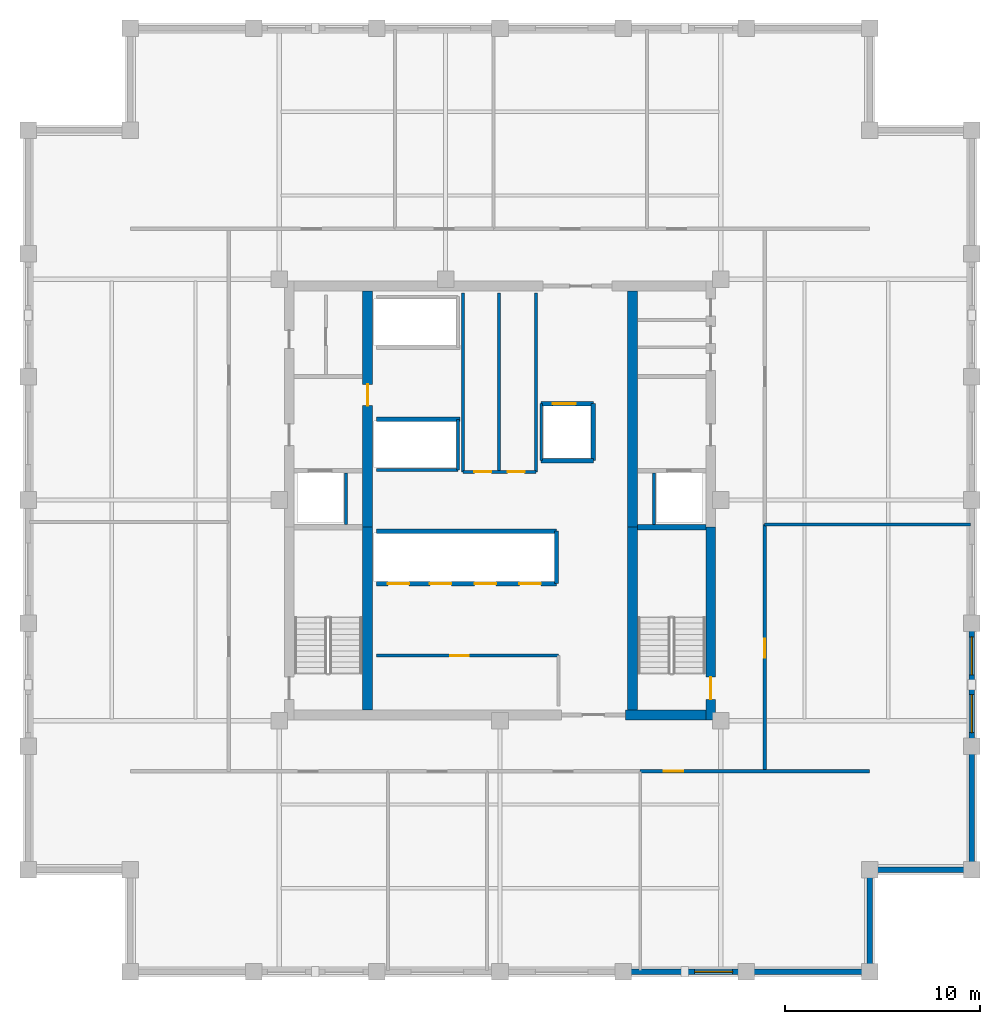
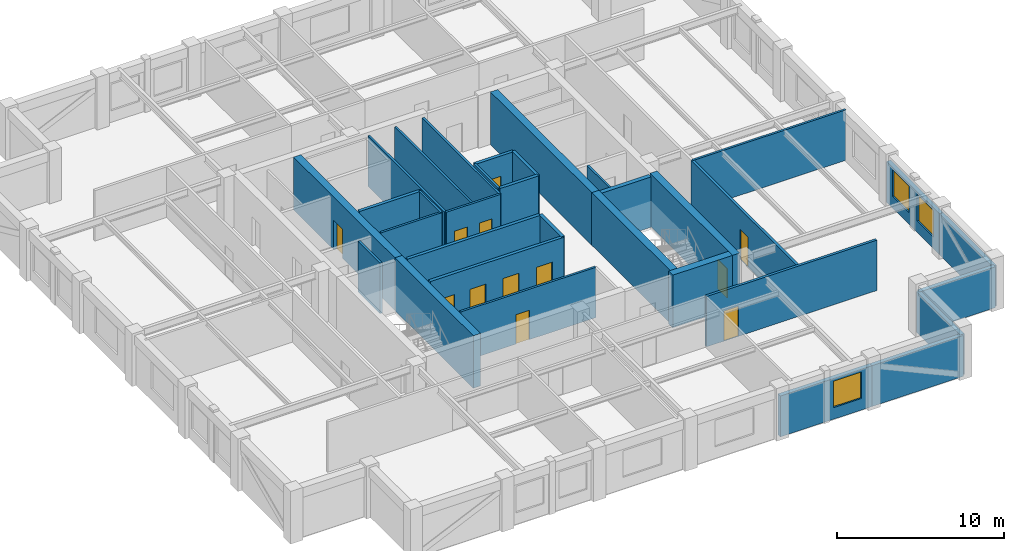
# One storey, part 3 of 6: 33 walls, 12 doors, 3 windows, 15 openings.
"""IFC4 building model written with IfcOpenShell, lengths in metres."""

from ifc_helpers import new_model, si_unit, direction, frame, frame_2d, origin, place, context, subcontext, project, spatial, rectangle, extrude, material, layer, layer_set, type_object, element, fill, save


model = new_model("IFC4")

# Units and contexts
model_context = context("Model", 3, precision=1e-05, world=origin(), true_north=direction((0.0, 1.0)))
body_context = subcontext(model_context, "Body", "Model", "MODEL_VIEW")
ifc_project = project(units=[si_unit("LENGTHUNIT", "METRE"), si_unit("AREAUNIT", "SQUARE_METRE"), si_unit("VOLUMEUNIT", "CUBIC_METRE"), si_unit("PLANEANGLEUNIT", "RADIAN"), si_unit("MASSUNIT", "GRAM", prefix="KILO")], contexts=[model_context])

# Site, building, storey
site_placement = place(None, origin())
site = spatial("IfcSite", under=ifc_project, at=site_placement, CompositionType="ELEMENT")
building_placement = place(site_placement, origin())
building = spatial("IfcBuilding", under=site, at=building_placement, Name="Nhamokura Convention Tower", CompositionType="ELEMENT")
storey_placement = place(building_placement, frame((0.0, 0.0, 202.300048828125)))
storey = spatial("IfcBuildingStorey", under=building, at=storey_placement, Name="L49", CompositionType="ELEMENT", Elevation=202.300048828125)

# Wall, opening, window
ifc_material_1 = material(Name="Bronze-pigmented precast concrete C45/55", Category="concrete")
ifc_layer_1 = layer(ifc_material_1, 0.280029296875)
ifc_layer_set_1 = layer_set([ifc_layer_1], Name="BronzePrecastSpandrel_280")
wall_type_1 = type_object("IfcWallType", Name="BronzePrecastSpandrel_280", PredefinedType="USERDEFINED", material=ifc_layer_set_1)
wall_1_placement = place(storey_placement, frame((44.666748046875, 7.75, 0.0), z_axis=(0.0, 0.0, 1.0), x_axis=(-1.0, 0.0, 0.0)))
wall_1 = element("IfcWall", 1, at=wall_1_placement, inside=storey, type_object=wall_type_1, Name="L49 Masonry-Frame Wall SOUTH 4", ObjectType="SPANDREL_WALL", PredefinedType="USERDEFINED", context=body_context, shape_type="SweptSolid", body=[
    extrude(rectangle(XDim=6.33349609375, YDim=0.280029296875, at=frame_2d((3.166748046875, 0.0))), origin(), (0.0, 0.0, 1.0), 2.98486328125),
])
opening_1_placement = place(wall_1_placement, frame((0.708251953125, 0.0, 0.85009765625)))
opening_1 = element("IfcOpeningElement", 2, at=opening_1_placement, cuts=wall_1, Name="Opening W-08", PredefinedType="OPENING", context=body_context, shape_type="SweptSolid", body=[
    extrude(rectangle(XDim=1.949951171875, YDim=1.93505859375, at=frame_2d((0.97509765625, 0.967529296875))), frame((0.0, 0.14990234375, 0.0), z_axis=(0.0, -1.0, 0.0), x_axis=(1.0, 0.0, 0.0)), (0.0, 0.0, 1.0), 0.300048828125),
])
ifc_material_2 = material(Name="Solar-control bronze low-E double glass", Category="glass")
window_type = type_object("IfcWindowType", Name="OfficeModuleWindow_Z3_1950", PartitioningType="SINGLE_PANEL", PredefinedType="WINDOW", material=ifc_material_2)
window_1_placement = place(opening_1_placement, origin())
window_1 = element("IfcWindow", 3, at=window_1_placement, inside=storey, type_object=window_type, Name="L49 Facade Window SOUTH 4-1", OverallHeight=1.93505859375, OverallWidth=1.949951171875, PartitioningType="SINGLE_PANEL", PredefinedType="WINDOW", context=body_context, shape_type="SweptSolid", body=[
    extrude(rectangle(XDim=1.949951171875, YDim=1.93505859375, at=frame_2d((0.97509765625, 0.967529296875))), frame((0.0, 0.030029296875, 0.0), z_axis=(0.0, -1.0, 0.0), x_axis=(1.0, 0.0, 0.0)), (0.0, 0.0, 1.0), 0.06005859375),
])
fill(opening_1, window_1)

# Walls
for number, where, z_axis, x_axis, name in (
    (4, (51.0, 7.75, 0.0), (0.0, 0.0, 1.0), (-1.0, 0.0, 0.0), "L49 Braced-Bay Precast Wall SOUTH 5"),
    (5, (56.25, 19.333251953125, 0.0), (0.0, 0.0, 1.0), (0.0, -1.0, 0.0), "L49 Braced-Bay Precast Wall EAST 0"),
):
    element("IfcWall", number, at=place(storey_placement, frame(where, z_axis=z_axis, x_axis=x_axis)), inside=storey, type_object=wall_type_1, Name=name, ObjectType="SPANDREL_WALL", PredefinedType="USERDEFINED", context=body_context, shape_type="SweptSolid", body=[
        extrude(rectangle(XDim=6.333251953125, YDim=0.280029296875, at=frame_2d((3.16650390625, 0.0))), origin(), (0.0, 0.0, 1.0), 2.98486328125),
    ])

# Wall, openings, windows
wall_2_placement = place(storey_placement, frame((56.25, 25.666748046875, 0.0), z_axis=(0.0, 0.0, 1.0), x_axis=(0.0, -1.0, 0.0)))
wall_2 = element("IfcWall", 6, at=wall_2_placement, inside=storey, type_object=wall_type_1, Name="L49 Masonry-Frame Wall EAST 1", ObjectType="SPANDREL_WALL", PredefinedType="USERDEFINED", context=body_context, shape_type="SweptSolid", body=[
    extrude(rectangle(XDim=6.33349609375, YDim=0.280029296875, at=frame_2d((3.166748046875, 0.0))), origin(), (0.0, 0.0, 1.0), 2.98486328125),
])
opening_2_placement = place(wall_2_placement, frame((0.708251953125, 0.0, 0.85009765625)))
opening_2 = element("IfcOpeningElement", 7, at=opening_2_placement, cuts=wall_2, Name="Opening W-08", PredefinedType="OPENING", context=body_context, shape_type="SweptSolid", body=[
    extrude(rectangle(XDim=1.949951171875, YDim=1.93505859375, at=frame_2d((0.97509765625, 0.967529296875))), frame((0.0, 0.14990234375, 0.0), z_axis=(0.0, -1.0, 0.0), x_axis=(1.0, 0.0, 0.0)), (0.0, 0.0, 1.0), 0.300048828125),
])
opening_3_placement = place(wall_2_placement, frame((3.675048828125, 0.0, 0.85009765625)))
opening_3 = element("IfcOpeningElement", 8, at=opening_3_placement, cuts=wall_2, Name="Opening W-08", PredefinedType="OPENING", context=body_context, shape_type="SweptSolid", body=[
    extrude(rectangle(XDim=1.949951171875, YDim=1.93505859375, at=frame_2d((0.97509765625, 0.967529296875))), frame((0.0, 0.14990234375, 0.0), z_axis=(0.0, -1.0, 0.0), x_axis=(1.0, 0.0, 0.0)), (0.0, 0.0, 1.0), 0.300048828125),
])
window_2_placement = place(opening_2_placement, origin())
window_2 = element("IfcWindow", 9, at=window_2_placement, inside=storey, type_object=window_type, Name="L49 Facade Window EAST 1-1", OverallHeight=1.93505859375, OverallWidth=1.949951171875, PartitioningType="SINGLE_PANEL", PredefinedType="WINDOW", context=body_context, shape_type="SweptSolid", body=[
    extrude(rectangle(XDim=1.949951171875, YDim=1.93505859375, at=frame_2d((0.97509765625, 0.967529296875))), frame((0.0, 0.030029296875, 0.0), z_axis=(0.0, -1.0, 0.0), x_axis=(1.0, 0.0, 0.0)), (0.0, 0.0, 1.0), 0.06005859375),
])
fill(opening_2, window_2)
window_3_placement = place(opening_3_placement, origin())
window_3 = element("IfcWindow", 10, at=window_3_placement, inside=storey, type_object=window_type, Name="L49 Facade Window EAST 1-2", OverallHeight=1.93505859375, OverallWidth=1.949951171875, PartitioningType="SINGLE_PANEL", PredefinedType="WINDOW", context=body_context, shape_type="SweptSolid", body=[
    extrude(rectangle(XDim=1.949951171875, YDim=1.93505859375, at=frame_2d((0.97509765625, 0.967529296875))), frame((0.0, 0.030029296875, 0.0), z_axis=(0.0, -1.0, 0.0), x_axis=(1.0, 0.0, 0.0)), (0.0, 0.0, 1.0), 0.06005859375),
])
fill(opening_3, window_3)

# Walls
for number, where, z_axis, x_axis, name in (
    (11, (51.0, 13.0, 0.0), (0.0, 0.0, 1.0), (0.0, -1.0, 0.0), "L49 Notched Corner Wall SE1"),
    (12, (56.25, 13.0, 0.0), (0.0, 0.0, 1.0), (-1.0, 0.0, 0.0), "L49 Notched Corner Wall SE2"),
):
    element("IfcWall", number, at=place(storey_placement, frame(where, z_axis=z_axis, x_axis=x_axis)), inside=storey, type_object=wall_type_1, Name=name, ObjectType="SPANDREL_WALL", PredefinedType="USERDEFINED", context=body_context, shape_type="SweptSolid", body=[
        extrude(rectangle(XDim=5.25, YDim=0.280029296875, at=frame_2d((2.625, 0.0))), origin(), (0.0, 0.0, 1.0), 2.98486328125),
    ])

# Wall, opening, door
ifc_material_3 = material(Name="Concrete C60/75", Category="concrete")
ifc_layer_2 = layer(ifc_material_3, 0.5)
ifc_layer_set_2 = layer_set([ifc_layer_2], Name="CoreShearWall_500")
wall_type_2 = type_object("IfcWallType", Name="CoreShearWall_500", PredefinedType="SHEAR", material=ifc_layer_set_2)
wall_3_placement = place(storey_placement, frame((42.840087890625, 20.699951171875, 0.0), z_axis=(0.0, 0.0, 1.0), x_axis=(0.0, 1.0, 0.0)))
wall_3 = element("IfcWall", 13, at=wall_3_placement, inside=storey, type_object=wall_type_2, Name="L49 Core Shear Wall CW-ES", PredefinedType="SHEAR", context=body_context, shape_type="SweptSolid", body=[
    extrude(rectangle(XDim=9.900146484375, YDim=0.5, at=frame_2d((4.9501953125, 0.0))), origin(), (0.0, 0.0, 1.0), 3.849853515625),
])
opening_4_placement = place(wall_3_placement, frame((1.050048828125, 0.0, 0.0)))
opening_4 = element("IfcOpeningElement", 14, at=opening_4_placement, cuts=wall_3, Name="Opening D-04", PredefinedType="OPENING", context=body_context, shape_type="SweptSolid", body=[
    extrude(rectangle(XDim=1.14990234375, YDim=2.14990234375, at=frame_2d((0.574951171875, 1.074951171875))), frame((0.0, 0.260009765625, 0.0), z_axis=(0.0, -1.0, 0.0), x_axis=(1.0, 0.0, 0.0)), (0.0, 0.0, 1.0), 0.52001953125),
])
ifc_material_4 = material(Name="Fire-rated steel door", Category="steel")
door_type_1 = type_object("IfcDoorType", Name="StairSmokeDoor_1150", OperationType="NOTDEFINED", PredefinedType="DOOR", material=ifc_material_4)
door_1_placement = place(opening_4_placement, origin())
door_1 = element("IfcDoor", 15, at=door_1_placement, inside=storey, type_object=door_type_1, Name="L49 Core Door INT-L49-D-ST02", OperationType="SINGLE_SWING_RIGHT", OverallHeight=2.14990234375, OverallWidth=1.14990234375, PredefinedType="DOOR", context=body_context, shape_type="SweptSolid", body=[
    extrude(rectangle(XDim=1.14990234375, YDim=2.14990234375, at=frame_2d((0.574951171875, 1.074951171875))), frame((0.0, 0.02490234375, 0.0), z_axis=(0.0, -1.0, 0.0), x_axis=(1.0, 0.0, 0.0)), (0.0, 0.0, 1.0), 0.050048828125),
])
fill(opening_4, door_1)

# Walls
wall_4_placement = place(storey_placement, frame((38.449951171875, 20.949951171875, 0.0), z_axis=(0.0, 0.0, 1.0), x_axis=(1.0, 0.0, 0.0)))
element("IfcWall", 16, at=wall_4_placement, inside=storey, type_object=wall_type_2, Name="L49 Core Shear Wall CW-S2", PredefinedType="SHEAR", context=body_context, shape_type="SweptSolid", body=[
    extrude(rectangle(XDim=4.14013671875, YDim=0.5, at=frame_2d((2.070068359375, 0.0))), origin(), (0.0, 0.0, 1.0), 3.849853515625),
])
wall_5_placement = place(storey_placement, frame((25.18994140625, 21.199951171875, 0.0), z_axis=(0.0, 0.0, 1.0), x_axis=(0.0, 1.0, 0.0)))
element("IfcWall", 17, at=wall_5_placement, inside=storey, type_object=wall_type_2, Name="L49 Core Shear Wall CW-IWS", PredefinedType="SHEAR", context=body_context, shape_type="SweptSolid", body=[
    extrude(rectangle(XDim=9.400146484375, YDim=0.5, at=frame_2d((4.7001953125, 0.0))), origin(), (0.0, 0.0, 1.0), 3.849853515625),
])

# Wall, opening, door
wall_6_placement = place(storey_placement, frame((25.18994140625, 30.60009765625, 0.0), z_axis=(0.0, 0.0, 1.0), x_axis=(0.0, 1.0, 0.0)))
wall_6 = element("IfcWall", 18, at=wall_6_placement, inside=storey, type_object=wall_type_2, Name="L49 Core Shear Wall CW-IWN", PredefinedType="SHEAR", context=body_context, shape_type="SweptSolid", body=[
    extrude(rectangle(XDim=12.14990234375, YDim=0.5, at=frame_2d((6.074951171875, 0.0))), origin(), (0.0, 0.0, 1.0), 3.849853515625),
])
opening_5_placement = place(wall_6_placement, frame((6.25, 0.0, 0.0)))
opening_5 = element("IfcOpeningElement", 19, at=opening_5_placement, cuts=wall_6, Name="Opening D-05", PredefinedType="OPENING", context=body_context, shape_type="SweptSolid", body=[
    extrude(rectangle(XDim=1.10009765625, YDim=2.14990234375, at=frame_2d((0.550048828125, 1.074951171875))), frame((0.0, 0.260009765625, 0.0), z_axis=(0.0, -1.0, 0.0), x_axis=(1.0, 0.0, 0.0)), (0.0, 0.0, 1.0), 0.52001953125),
])
ifc_material_5 = material(Name="Fire-rated steel door", Category="steel")
door_type_2 = type_object("IfcDoorType", Name="FireLobbyDoor_1100", OperationType="NOTDEFINED", PredefinedType="DOOR", material=ifc_material_5)
door_2_placement = place(opening_5_placement, origin())
door_2 = element("IfcDoor", 20, at=door_2_placement, inside=storey, type_object=door_type_2, Name="L49 Core Door INT-L49-D-B3LOB", OperationType="SINGLE_SWING_LEFT", OverallHeight=2.14990234375, OverallWidth=1.10009765625, PredefinedType="DOOR", context=body_context, shape_type="SweptSolid", body=[
    extrude(rectangle(XDim=1.10009765625, YDim=2.14990234375, at=frame_2d((0.550048828125, 1.074951171875))), frame((0.0, 0.02490234375, 0.0), z_axis=(0.0, -1.0, 0.0), x_axis=(1.0, 0.0, 0.0)), (0.0, 0.0, 1.0), 0.050048828125),
])
fill(opening_5, door_2)

# Walls
wall_7_placement = place(storey_placement, frame((38.81005859375, 21.199951171875, 0.0), z_axis=(0.0, 0.0, 1.0), x_axis=(0.0, 1.0, 0.0)))
element("IfcWall", 21, at=wall_7_placement, inside=storey, type_object=wall_type_2, Name="L49 Core Shear Wall CW-IES", PredefinedType="SHEAR", context=body_context, shape_type="SweptSolid", body=[
    extrude(rectangle(XDim=9.400146484375, YDim=0.5, at=frame_2d((4.7001953125, 0.0))), origin(), (0.0, 0.0, 1.0), 3.849853515625),
])
wall_8_placement = place(storey_placement, frame((38.81005859375, 30.60009765625, 0.0), z_axis=(0.0, 0.0, 1.0), x_axis=(0.0, 1.0, 0.0)))
element("IfcWall", 22, at=wall_8_placement, inside=storey, type_object=wall_type_2, Name="L49 Core Shear Wall CW-IEN", PredefinedType="SHEAR", context=body_context, shape_type="SweptSolid", body=[
    extrude(rectangle(XDim=12.14990234375, YDim=0.5, at=frame_2d((6.074951171875, 0.0))), origin(), (0.0, 0.0, 1.0), 3.849853515625),
])

# Wall, opening, door
ifc_material_6 = material(Name="Fire-rated gypsum and masonry partition", Category="masonry")
ifc_layer_3 = layer(ifc_material_6, 0.179931640625)
ifc_layer_set_3 = layer_set([ifc_layer_3], Name="CorridorRatedWall_180")
wall_type_3 = type_object("IfcWallType", Name="CorridorRatedWall_180", PredefinedType="STANDARD", material=ifc_layer_set_3)
wall_9_placement = place(storey_placement, frame((39.208251953125, 18.050048828125, 0.0), z_axis=(0.0, 0.0, 1.0), x_axis=(1.0, 0.0, 0.0)))
wall_9 = element("IfcWall", 23, at=wall_9_placement, inside=storey, type_object=wall_type_3, Name="L49 Wall INT-L49-CW-S03", PredefinedType="STANDARD", context=body_context, shape_type="SweptSolid", body=[
    extrude(rectangle(XDim=11.791748046875, YDim=0.179931640625, at=frame_2d((5.89599609375, 0.0))), origin(), (0.0, 0.0, 1.0), 3.68505859375),
])
opening_6_placement = place(wall_9_placement, frame((1.220703125, 0.0, 0.0)))
opening_6 = element("IfcOpeningElement", 24, at=opening_6_placement, cuts=wall_9, Name="Opening D-08", PredefinedType="OPENING", context=body_context, shape_type="SweptSolid", body=[
    extrude(rectangle(XDim=0.97998046875, YDim=2.199951171875, at=frame_2d((0.489990234375, 1.10009765625))), frame((0.0, 0.099853515625, 0.0), z_axis=(0.0, -1.0, 0.0), x_axis=(1.0, 0.0, 0.0)), (0.0, 0.0, 1.0), 0.199951171875),
])
ifc_material_7 = material(Name="Solid oak hardwood", Category="wood")
door_type_3 = type_object("IfcDoorType", Name="OfficeEntryDoor_980", OperationType="NOTDEFINED", PredefinedType="DOOR", material=ifc_material_7)
door_3_placement = place(opening_6_placement, origin())
door_3 = element("IfcDoor", 25, at=door_3_placement, inside=storey, type_object=door_type_3, Name="L49 Private Office S04 Door", OperationType="SINGLE_SWING_RIGHT", OverallHeight=2.199951171875, OverallWidth=0.97998046875, PredefinedType="DOOR", context=body_context, shape_type="SweptSolid", body=[
    extrude(rectangle(XDim=0.97998046875, YDim=2.199951171875, at=frame_2d((0.489990234375, 1.10009765625))), frame((0.0, 0.02490234375, 0.0), z_axis=(0.0, -1.0, 0.0), x_axis=(1.0, 0.0, 0.0)), (0.0, 0.0, 1.0), 0.050048828125),
])
fill(opening_6, door_3)

wall_10_placement = place(storey_placement, frame((45.60009765625, 18.050048828125, 0.0), z_axis=(0.0, 0.0, 1.0), x_axis=(0.0, 1.0, 0.0)))
wall_10 = element("IfcWall", 26, at=wall_10_placement, inside=storey, type_object=wall_type_3, Name="L49 Wall INT-L49-CW-E00", PredefinedType="STANDARD", context=body_context, shape_type="SweptSolid", body=[
    extrude(rectangle(XDim=12.699951171875, YDim=0.179931640625, at=frame_2d((6.35009765625, 0.0))), origin(), (0.0, 0.0, 1.0), 3.68505859375),
])
opening_7_placement = place(wall_10_placement, frame((5.85009765625, 0.0, 0.0)))
opening_7 = element("IfcOpeningElement", 27, at=opening_7_placement, cuts=wall_10, Name="Opening D-08", PredefinedType="OPENING", context=body_context, shape_type="SweptSolid", body=[
    extrude(rectangle(XDim=0.97998046875, YDim=2.199951171875, at=frame_2d((0.489990234375, 1.10009765625))), frame((0.0, 0.099853515625, 0.0), z_axis=(0.0, -1.0, 0.0), x_axis=(1.0, 0.0, 0.0)), (0.0, 0.0, 1.0), 0.199951171875),
])
door_4_placement = place(opening_7_placement, origin())
door_4 = element("IfcDoor", 28, at=door_4_placement, inside=storey, type_object=door_type_3, Name="L49 Open Plan Office E01 Door", OperationType="SINGLE_SWING_LEFT", OverallHeight=2.199951171875, OverallWidth=0.97998046875, PredefinedType="DOOR", context=body_context, shape_type="SweptSolid", body=[
    extrude(rectangle(XDim=0.97998046875, YDim=2.199951171875, at=frame_2d((0.489990234375, 1.10009765625))), frame((0.0, 0.02490234375, 0.0), z_axis=(0.0, -1.0, 0.0), x_axis=(1.0, 0.0, 0.0)), (0.0, 0.0, 1.0), 0.050048828125),
])
fill(opening_7, door_4)

# Wall, openings, doors
ifc_material_8 = material(Name="Autoclaved concrete blockwork", Category="masonry")
ifc_layer_4 = layer(ifc_material_8, 0.219970703125)
ifc_layer_set_4 = layer_set([ifc_layer_4], Name="FireLobbyWall_220")
wall_type_4 = type_object("IfcWallType", Name="FireLobbyWall_220", PredefinedType="STANDARD", material=ifc_layer_set_4)
wall_11_placement = place(storey_placement, frame((25.64990234375, 27.699951171875, 0.0), z_axis=(0.0, 0.0, 1.0), x_axis=(1.0, 0.0, 0.0)))
wall_11 = element("IfcWall", 29, at=wall_11_placement, inside=storey, type_object=wall_type_4, Name="L49 Wall INT-L49-B2S", PredefinedType="STANDARD", context=body_context, shape_type="SweptSolid", body=[
    extrude(rectangle(XDim=9.25, YDim=0.219970703125, at=frame_2d((4.625, 0.0))), origin(), (0.0, 0.0, 1.0), 3.68505859375),
])
opening_8_placement = place(wall_11_placement, frame((0.580078125, 0.0, 0.0)))
opening_8 = element("IfcOpeningElement", 30, at=opening_8_placement, cuts=wall_11, Name="Opening LD-01", PredefinedType="OPENING", context=body_context, shape_type="SweptSolid", body=[
    extrude(rectangle(XDim=1.10009765625, YDim=2.14990234375, at=frame_2d((0.550048828125, 1.074951171875))), frame((0.0, 0.119873046875, 0.0), z_axis=(0.0, -1.0, 0.0), x_axis=(1.0, 0.0, 0.0)), (0.0, 0.0, 1.0), 0.239990234375),
])
opening_9_placement = place(wall_11_placement, frame((2.75, 0.0, 0.0)))
opening_9 = element("IfcOpeningElement", 31, at=opening_9_placement, cuts=wall_11, Name="Opening LD-01", PredefinedType="OPENING", context=body_context, shape_type="SweptSolid", body=[
    extrude(rectangle(XDim=1.10009765625, YDim=2.14990234375, at=frame_2d((0.550048828125, 1.074951171875))), frame((0.0, 0.119873046875, 0.0), z_axis=(0.0, -1.0, 0.0), x_axis=(1.0, 0.0, 0.0)), (0.0, 0.0, 1.0), 0.239990234375),
])
opening_10_placement = place(wall_11_placement, frame((5.050048828125, 0.0, 0.0)))
opening_10 = element("IfcOpeningElement", 32, at=opening_10_placement, cuts=wall_11, Name="Opening LD-01", PredefinedType="OPENING", context=body_context, shape_type="SweptSolid", body=[
    extrude(rectangle(XDim=1.10009765625, YDim=2.14990234375, at=frame_2d((0.550048828125, 1.074951171875))), frame((0.0, 0.119873046875, 0.0), z_axis=(0.0, -1.0, 0.0), x_axis=(1.0, 0.0, 0.0)), (0.0, 0.0, 1.0), 0.239990234375),
])
opening_11_placement = place(wall_11_placement, frame((7.35009765625, 0.0, 0.0)))
opening_11 = element("IfcOpeningElement", 33, at=opening_11_placement, cuts=wall_11, Name="Opening LD-01", PredefinedType="OPENING", context=body_context, shape_type="SweptSolid", body=[
    extrude(rectangle(XDim=1.10009765625, YDim=2.14990234375, at=frame_2d((0.550048828125, 1.074951171875))), frame((0.0, 0.119873046875, 0.0), z_axis=(0.0, -1.0, 0.0), x_axis=(1.0, 0.0, 0.0)), (0.0, 0.0, 1.0), 0.239990234375),
])
ifc_material_9 = material(Name="Anodised bronze stainless steel", Category="steel")
door_type_4 = type_object("IfcDoorType", Name="LiftLandingDoor_Passenger", OperationType="DOUBLE_DOOR_SLIDING", PredefinedType="DOOR", material=ifc_material_9)
door_5_placement = place(opening_8_placement, origin())
door_5 = element("IfcDoor", 34, at=door_5_placement, inside=storey, type_object=door_type_4, Name="L49 Lift LP-05 Landing Door", OperationType="DOUBLE_DOOR_SLIDING", OverallHeight=2.14990234375, OverallWidth=1.10009765625, PredefinedType="DOOR", context=body_context, shape_type="SweptSolid", body=[
    extrude(rectangle(XDim=1.10009765625, YDim=2.14990234375, at=frame_2d((0.550048828125, 1.074951171875))), frame((0.0, 0.02490234375, 0.0), z_axis=(0.0, -1.0, 0.0), x_axis=(1.0, 0.0, 0.0)), (0.0, 0.0, 1.0), 0.050048828125),
])
fill(opening_8, door_5)
door_6_placement = place(opening_9_placement, origin())
door_6 = element("IfcDoor", 35, at=door_6_placement, inside=storey, type_object=door_type_4, Name="L49 Lift LP-06 Landing Door", OperationType="DOUBLE_DOOR_SLIDING", OverallHeight=2.14990234375, OverallWidth=1.10009765625, PredefinedType="DOOR", context=body_context, shape_type="SweptSolid", body=[
    extrude(rectangle(XDim=1.10009765625, YDim=2.14990234375, at=frame_2d((0.550048828125, 1.074951171875))), frame((0.0, 0.02490234375, 0.0), z_axis=(0.0, -1.0, 0.0), x_axis=(1.0, 0.0, 0.0)), (0.0, 0.0, 1.0), 0.050048828125),
])
fill(opening_9, door_6)
door_7_placement = place(opening_10_placement, origin())
door_7 = element("IfcDoor", 36, at=door_7_placement, inside=storey, type_object=door_type_4, Name="L49 Lift LP-07 Landing Door", OperationType="DOUBLE_DOOR_SLIDING", OverallHeight=2.14990234375, OverallWidth=1.10009765625, PredefinedType="DOOR", context=body_context, shape_type="SweptSolid", body=[
    extrude(rectangle(XDim=1.10009765625, YDim=2.14990234375, at=frame_2d((0.550048828125, 1.074951171875))), frame((0.0, 0.02490234375, 0.0), z_axis=(0.0, -1.0, 0.0), x_axis=(1.0, 0.0, 0.0)), (0.0, 0.0, 1.0), 0.050048828125),
])
fill(opening_10, door_7)
door_8_placement = place(opening_11_placement, origin())
door_8 = element("IfcDoor", 37, at=door_8_placement, inside=storey, type_object=door_type_4, Name="L49 Lift LP-08 Landing Door", OperationType="DOUBLE_DOOR_SLIDING", OverallHeight=2.14990234375, OverallWidth=1.10009765625, PredefinedType="DOOR", context=body_context, shape_type="SweptSolid", body=[
    extrude(rectangle(XDim=1.10009765625, YDim=2.14990234375, at=frame_2d((0.550048828125, 1.074951171875))), frame((0.0, 0.02490234375, 0.0), z_axis=(0.0, -1.0, 0.0), x_axis=(1.0, 0.0, 0.0)), (0.0, 0.0, 1.0), 0.050048828125),
])
fill(opening_11, door_8)

# Walls
wall_12_placement = place(storey_placement, frame((25.64990234375, 30.39990234375, 0.0), z_axis=(0.0, 0.0, 1.0), x_axis=(1.0, 0.0, 0.0)))
element("IfcWall", 38, at=wall_12_placement, inside=storey, type_object=wall_type_4, Name="L49 Wall INT-L49-B2N", PredefinedType="STANDARD", context=body_context, shape_type="SweptSolid", body=[
    extrude(rectangle(XDim=9.25, YDim=0.219970703125, at=frame_2d((4.625, 0.0))), origin(), (0.0, 0.0, 1.0), 3.68505859375),
])
wall_13_placement = place(storey_placement, frame((34.89990234375, 27.699951171875, 0.0), z_axis=(0.0, 0.0, 1.0), x_axis=(0.0, 1.0, 0.0)))
element("IfcWall", 39, at=wall_13_placement, inside=storey, type_object=wall_type_4, Name="L49 Wall INT-L49-B2E", PredefinedType="STANDARD", context=body_context, shape_type="SweptSolid", body=[
    extrude(rectangle(XDim=2.699951171875, YDim=0.219970703125, at=frame_2d((1.35009765625, 0.0))), origin(), (0.0, 0.0, 1.0), 3.68505859375),
])
wall_14_placement = place(storey_placement, frame((25.64990234375, 36.14990234375, 0.0), z_axis=(0.0, 0.0, 1.0), x_axis=(1.0, 0.0, 0.0)))
element("IfcWall", 40, at=wall_14_placement, inside=storey, type_object=wall_type_4, Name="L49 Wall INT-L49-B3S", PredefinedType="STANDARD", context=body_context, shape_type="SweptSolid", body=[
    extrude(rectangle(XDim=4.300048828125, YDim=0.219970703125, at=frame_2d((2.14990234375, 0.0))), origin(), (0.0, 0.0, 1.0), 3.68505859375),
])

# Wall, opening, door
wall_15_placement = place(storey_placement, frame((34.1201171875, 36.949951171875, 0.0), z_axis=(0.0, 0.0, 1.0), x_axis=(1.0, 0.0, 0.0)))
wall_15 = element("IfcWall", 41, at=wall_15_placement, inside=storey, type_object=wall_type_4, Name="L49 Wall INT-L49-LSN", PredefinedType="STANDARD", context=body_context, shape_type="SweptSolid", body=[
    extrude(rectangle(XDim=2.679931640625, YDim=0.219970703125, at=frame_2d((1.33984375, 0.0))), origin(), (0.0, 0.0, 1.0), 3.68505859375),
])
opening_12_placement = place(wall_15_placement, frame((0.580078125, 0.0, 0.0)))
opening_12 = element("IfcOpeningElement", 42, at=opening_12_placement, cuts=wall_15, Name="Opening LD-02", PredefinedType="OPENING", context=body_context, shape_type="SweptSolid", body=[
    extrude(rectangle(XDim=1.199951171875, YDim=2.199951171875, at=frame_2d((0.60009765625, 1.10009765625))), frame((0.0, 0.119873046875, 0.0), z_axis=(0.0, -1.0, 0.0), x_axis=(1.0, 0.0, 0.0)), (0.0, 0.0, 1.0), 0.239990234375),
])
ifc_material_10 = material(Name="Anodised bronze stainless steel", Category="steel")
door_type_5 = type_object("IfcDoorType", Name="LiftLandingDoor_FireService", OperationType="DOUBLE_DOOR_SLIDING", PredefinedType="DOOR", material=ifc_material_10)
door_9_placement = place(opening_12_placement, origin())
door_9 = element("IfcDoor", 43, at=door_9_placement, inside=storey, type_object=door_type_5, Name="L49 Service Lift LS-01 Door", OperationType="DOUBLE_DOOR_SLIDING", OverallHeight=2.199951171875, OverallWidth=1.199951171875, PredefinedType="DOOR", context=body_context, shape_type="SweptSolid", body=[
    extrude(rectangle(XDim=1.199951171875, YDim=2.199951171875, at=frame_2d((0.60009765625, 1.10009765625))), frame((0.0, 0.02490234375, 0.0), z_axis=(0.0, -1.0, 0.0), x_axis=(1.0, 0.0, 0.0)), (0.0, 0.0, 1.0), 0.050048828125),
])
fill(opening_12, door_9)

# Walls
wall_16_placement = place(storey_placement, frame((36.800048828125, 34.02001953125, 0.0), z_axis=(0.0, 0.0, 1.0), x_axis=(0.0, 1.0, 0.0)))
element("IfcWall", 44, at=wall_16_placement, inside=storey, type_object=wall_type_4, Name="L49 Wall INT-L49-LSE", PredefinedType="STANDARD", context=body_context, shape_type="SweptSolid", body=[
    extrude(rectangle(XDim=2.929931640625, YDim=0.219970703125, at=frame_2d((1.46484375, 0.0))), origin(), (0.0, 0.0, 1.0), 3.68505859375),
])
wall_17_placement = place(storey_placement, frame((34.1201171875, 34.02001953125, 0.0), z_axis=(0.0, 0.0, 1.0), x_axis=(1.0, 0.0, 0.0)))
element("IfcWall", 45, at=wall_17_placement, inside=storey, type_object=wall_type_4, Name="L49 Wall INT-L49-LSS", PredefinedType="STANDARD", context=body_context, shape_type="SweptSolid", body=[
    extrude(rectangle(XDim=2.679931640625, YDim=0.219970703125, at=frame_2d((1.33984375, 0.0))), origin(), (0.0, 0.0, 1.0), 3.68505859375),
])
ifc_material_11 = material(Name="Acoustic gypsum stud partition", Category="masonry")
ifc_layer_5 = layer(ifc_material_11, 0.14990234375)
ifc_layer_set_5 = layer_set([ifc_layer_5], Name="InteriorPartition_150")
wall_type_5 = type_object("IfcWallType", Name="InteriorPartition_150", PredefinedType="STANDARD", material=ifc_layer_set_5)
for number, where, z_axis, x_axis, name in (
    (46, (24.080078125, 30.75, 0.0), (0.0, 0.0, 1.0), (0.0, 1.0, 0.0), "L49 Wall INT-L49-FF1-E"),
    (47, (39.919921875, 30.75, 0.0), (0.0, 0.0, 1.0), (0.0, 1.0, 0.0), "L49 Wall INT-L49-FF2-W"),
):
    element("IfcWall", number, at=place(storey_placement, frame(where, z_axis=z_axis, x_axis=x_axis)), inside=storey, type_object=wall_type_5, Name=name, PredefinedType="STANDARD", context=body_context, shape_type="SweptSolid", body=[
        extrude(rectangle(XDim=2.64990234375, YDim=0.14990234375, at=frame_2d((1.324951171875, 0.0))), origin(), (0.0, 0.0, 1.0), 3.68505859375),
    ])

# Wall, opening, door
wall_18_placement = place(storey_placement, frame((25.64990234375, 24.0, 0.0), z_axis=(0.0, 0.0, 1.0), x_axis=(1.0, 0.0, 0.0)))
wall_18 = element("IfcWall", 48, at=wall_18_placement, inside=storey, type_object=wall_type_5, Name="L49 Wall INT-L49-B1R-N", PredefinedType="STANDARD", context=body_context, shape_type="SweptSolid", body=[
    extrude(rectangle(XDim=9.35009765625, YDim=0.14990234375, at=frame_2d((4.675048828125, 0.0))), origin(), (0.0, 0.0, 1.0), 3.68505859375),
])
opening_13_placement = place(wall_18_placement, frame((3.800048828125, 0.0, 0.0)))
opening_13 = element("IfcOpeningElement", 49, at=opening_13_placement, cuts=wall_18, Name="Opening D-09", PredefinedType="OPENING", context=body_context, shape_type="SweptSolid", body=[
    extrude(rectangle(XDim=0.949951171875, YDim=2.14990234375, at=frame_2d((0.47509765625, 1.074951171875))), frame((0.0, 0.0849609375, 0.0), z_axis=(0.0, -1.0, 0.0), x_axis=(1.0, 0.0, 0.0)), (0.0, 0.0, 1.0), 0.169921875),
])
ifc_material_12 = material(Name="Solid oak hardwood", Category="wood")
door_type_6 = type_object("IfcDoorType", Name="MeetingRoomDoor_950", OperationType="NOTDEFINED", PredefinedType="DOOR", material=ifc_material_12)
door_10_placement = place(opening_13_placement, origin())
door_10 = element("IfcDoor", 50, at=door_10_placement, inside=storey, type_object=door_type_6, Name="L49 Reclaimed Briefing Room Door", OperationType="SINGLE_SWING_RIGHT", OverallHeight=2.14990234375, OverallWidth=0.949951171875, PredefinedType="DOOR", context=body_context, shape_type="SweptSolid", body=[
    extrude(rectangle(XDim=0.949951171875, YDim=2.14990234375, at=frame_2d((0.47509765625, 1.074951171875))), frame((0.0, 0.02490234375, 0.0), z_axis=(0.0, -1.0, 0.0), x_axis=(1.0, 0.0, 0.0)), (0.0, 0.0, 1.0), 0.050048828125),
])
fill(opening_13, door_10)

# Walls
wall_19_placement = place(storey_placement, frame((25.64990234375, 33.550048828125, 0.0), z_axis=(0.0, 0.0, 1.0), x_axis=(1.0, 0.0, 0.0)))
element("IfcWall", 51, at=wall_19_placement, inside=storey, type_object=wall_type_5, Name="L49 Wall INT-L49-B3A-S", PredefinedType="STANDARD", context=body_context, shape_type="SweptSolid", body=[
    extrude(rectangle(XDim=4.2001953125, YDim=0.14990234375, at=frame_2d((2.10009765625, 0.0))), origin(), (0.0, 0.0, 1.0), 3.68505859375),
])
wall_20_placement = place(storey_placement, frame((29.85009765625, 33.550048828125, 0.0), z_axis=(0.0, 0.0, 1.0), x_axis=(0.0, 1.0, 0.0)))
element("IfcWall", 52, at=wall_20_placement, inside=storey, type_object=wall_type_5, Name="L49 Wall INT-L49-B3A-E", PredefinedType="STANDARD", context=body_context, shape_type="SweptSolid", body=[
    extrude(rectangle(XDim=2.599853515625, YDim=0.14990234375, at=frame_2d((1.2998046875, 0.0))), origin(), (0.0, 0.0, 1.0), 3.68505859375),
])
for number, where, z_axis, x_axis, name in (
    (53, (30.10009765625, 33.449951171875, 0.0), (0.0, 0.0, 1.0), (0.0, 1.0, 0.0), "L49 Wall INT-L49-ST03W"),
    (54, (31.949951171875, 33.449951171875, 0.0), (0.0, 0.0, 1.0), (0.0, 1.0, 0.0), "L49 Wall INT-L49-ST03M"),
    (55, (33.85009765625, 33.449951171875, 0.0), (0.0, 0.0, 1.0), (0.0, 1.0, 0.0), "L49 Wall INT-L49-ST03E"),
):
    element("IfcWall", number, at=place(storey_placement, frame(where, z_axis=z_axis, x_axis=x_axis)), inside=storey, type_object=wall_type_5, Name=name, PredefinedType="STANDARD", context=body_context, shape_type="SweptSolid", body=[
        extrude(rectangle(XDim=9.199951171875, YDim=0.14990234375, at=frame_2d((4.60009765625, 0.0))), origin(), (0.0, 0.0, 1.0), 3.68505859375),
    ])

# Wall, openings, doors
wall_21_placement = place(storey_placement, frame((30.10009765625, 33.449951171875, 0.0), z_axis=(0.0, 0.0, 1.0), x_axis=(1.0, 0.0, 0.0)))
wall_21 = element("IfcWall", 56, at=wall_21_placement, inside=storey, type_object=wall_type_5, Name="L49 Wall INT-L49-ST03S", PredefinedType="STANDARD", context=body_context, shape_type="SweptSolid", body=[
    extrude(rectangle(XDim=3.75, YDim=0.14990234375, at=frame_2d((1.875, 0.0))), origin(), (0.0, 0.0, 1.0), 3.68505859375),
])
opening_14_placement = place(wall_21_placement, frame((0.580078125, 0.0, 0.0)))
opening_14 = element("IfcOpeningElement", 57, at=opening_14_placement, cuts=wall_21, Name="Opening D-11", PredefinedType="OPENING", context=body_context, shape_type="SweptSolid", body=[
    extrude(rectangle(XDim=0.8798828125, YDim=2.10009765625, at=frame_2d((0.43994140625, 1.050048828125))), frame((0.0, 0.0849609375, 0.0), z_axis=(0.0, -1.0, 0.0), x_axis=(1.0, 0.0, 0.0)), (0.0, 0.0, 1.0), 0.169921875),
])
opening_15_placement = place(wall_21_placement, frame((2.2900390625, 0.0, 0.0)))
opening_15 = element("IfcOpeningElement", 58, at=opening_15_placement, cuts=wall_21, Name="Opening D-11", PredefinedType="OPENING", context=body_context, shape_type="SweptSolid", body=[
    extrude(rectangle(XDim=0.8798828125, YDim=2.10009765625, at=frame_2d((0.43994140625, 1.050048828125))), frame((0.0, 0.0849609375, 0.0), z_axis=(0.0, -1.0, 0.0), x_axis=(1.0, 0.0, 0.0)), (0.0, 0.0, 1.0), 0.169921875),
])
ifc_material_13 = material(Name="Solid oak hardwood", Category="wood")
door_type_7 = type_object("IfcDoorType", Name="BathroomDoor_880", OperationType="NOTDEFINED", PredefinedType="DOOR", material=ifc_material_13)
door_11_placement = place(opening_14_placement, origin())
door_11 = element("IfcDoor", 59, at=door_11_placement, inside=storey, type_object=door_type_7, Name="L49 Wellness Suite Door", OperationType="SINGLE_SWING_LEFT", OverallHeight=2.10009765625, OverallWidth=0.8798828125, PredefinedType="DOOR", context=body_context, shape_type="SweptSolid", body=[
    extrude(rectangle(XDim=0.8798828125, YDim=2.10009765625, at=frame_2d((0.43994140625, 1.050048828125))), frame((0.0, 0.02490234375, 0.0), z_axis=(0.0, -1.0, 0.0), x_axis=(1.0, 0.0, 0.0)), (0.0, 0.0, 1.0), 0.050048828125),
])
fill(opening_14, door_11)
door_12_placement = place(opening_15_placement, origin())
door_12 = element("IfcDoor", 60, at=door_12_placement, inside=storey, type_object=door_type_7, Name="L49 Records Archive Door", OperationType="SINGLE_SWING_RIGHT", OverallHeight=2.10009765625, OverallWidth=0.8798828125, PredefinedType="DOOR", context=body_context, shape_type="SweptSolid", body=[
    extrude(rectangle(XDim=0.8798828125, YDim=2.10009765625, at=frame_2d((0.43994140625, 1.050048828125))), frame((0.0, 0.02490234375, 0.0), z_axis=(0.0, -1.0, 0.0), x_axis=(1.0, 0.0, 0.0)), (0.0, 0.0, 1.0), 0.050048828125),
])
fill(opening_15, door_12)

# Walls
wall_22_placement = place(storey_placement, frame((34.1201171875, 34.02001953125, 0.0), z_axis=(0.0, 0.0, 1.0), x_axis=(0.0, 1.0, 0.0)))
element("IfcWall", 61, at=wall_22_placement, inside=storey, type_object=wall_type_5, Name="L49 Wall INT-L49-LSW", PredefinedType="STANDARD", context=body_context, shape_type="SweptSolid", body=[
    extrude(rectangle(XDim=2.929931640625, YDim=0.14990234375, at=frame_2d((1.46484375, 0.0))), origin(), (0.0, 0.0, 1.0), 3.68505859375),
])
wall_23_placement = place(storey_placement, frame((45.60009765625, 30.75, 0.0), z_axis=(0.0, 0.0, 1.0), x_axis=(1.0, 0.0, 0.0)))
element("IfcWall", 62, at=wall_23_placement, inside=storey, type_object=wall_type_5, Name="L49 Wall INT-L49-RW-E01", PredefinedType="STANDARD", context=body_context, shape_type="SweptSolid", body=[
    extrude(rectangle(XDim=10.58984375, YDim=0.14990234375, at=frame_2d((5.294921875, 0.0))), origin(), (0.0, 0.0, 1.0), 3.68505859375),
])
ifc_material_14 = material(Name="Concrete C50/60", Category="concrete")
ifc_layer_6 = layer(ifc_material_14, 0.300048828125)
ifc_layer_set_6 = layer_set([ifc_layer_6], Name="ShaftEnclosureWall_300")
wall_type_6 = type_object("IfcWallType", Name="ShaftEnclosureWall_300", PredefinedType="SHEAR", material=ifc_layer_set_6)
wall_24_placement = place(storey_placement, frame((39.06005859375, 30.60009765625, 0.0), z_axis=(0.0, 0.0, 1.0), x_axis=(1.0, 0.0, 0.0)))
element("IfcWall", 63, at=wall_24_placement, inside=storey, type_object=wall_type_6, Name="L49 Wall INT-L49-ST02-N", PredefinedType="SHEAR", context=body_context, shape_type="SweptSolid", body=[
    extrude(rectangle(XDim=3.530029296875, YDim=0.300048828125, at=frame_2d((1.76513671875, 0.0))), origin(), (0.0, 0.0, 1.0), 3.68505859375),
])

save(model, "model.ifc")
